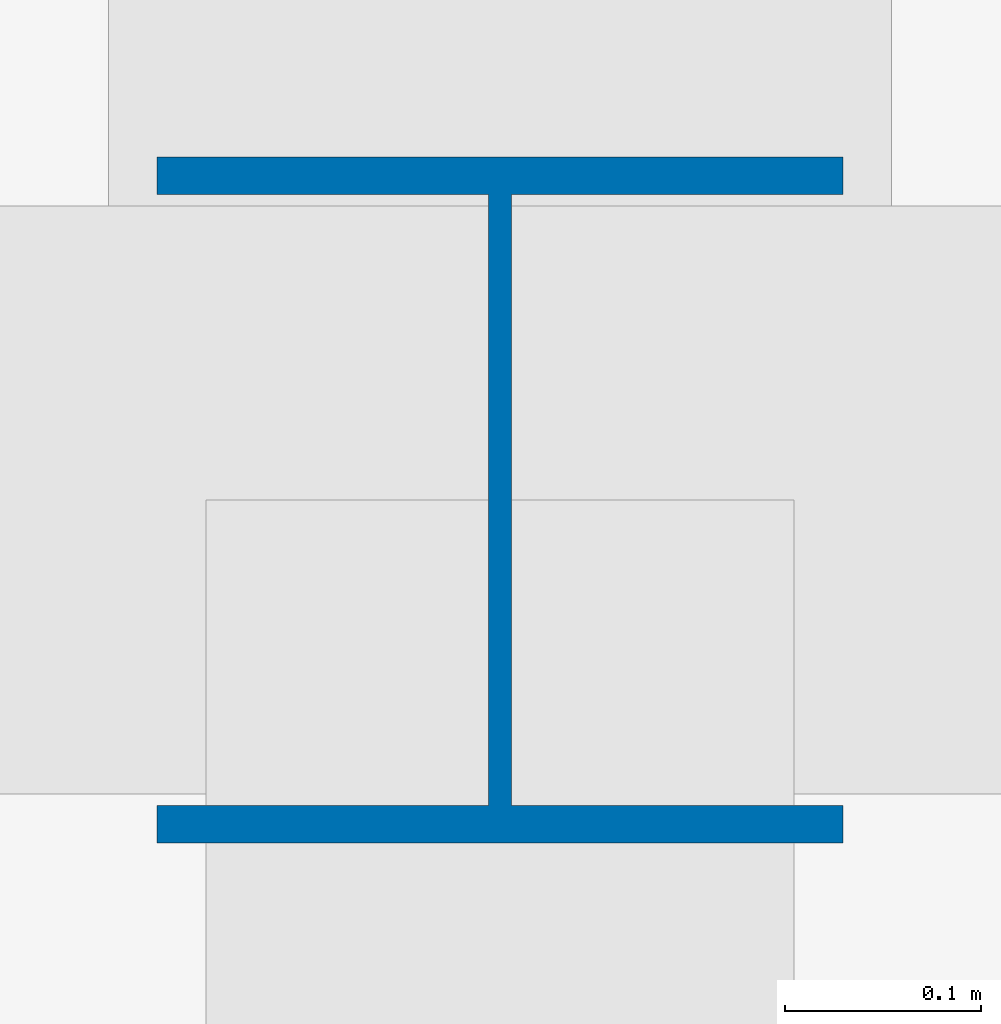
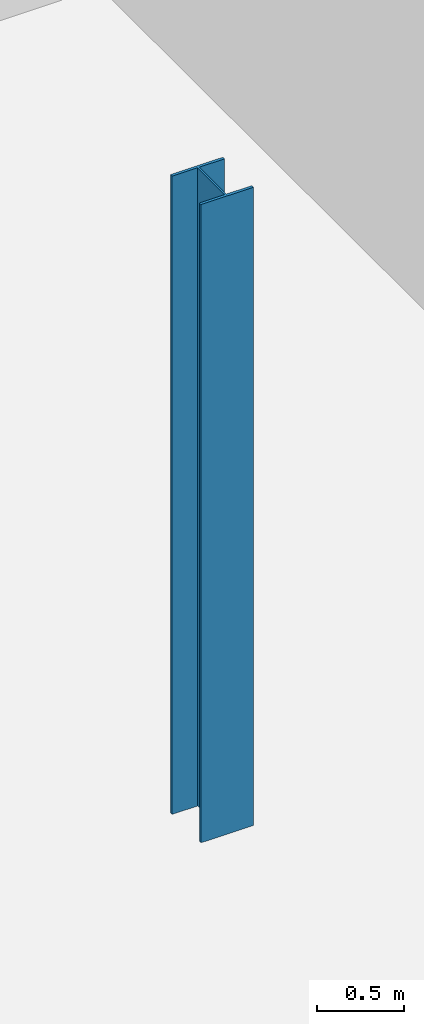
# One storey, part 2 of 27: 1 column.
"""IFC4 building model written with IfcOpenShell, lengths in metres."""

from ifc_helpers import new_model, si_unit, direction, frame, origin, origin_2d, place, context, subcontext, project, spatial, i_section, extrude, source, transform, mapped, material, material_profile, profile_set, type_object, type_shapes, element, save


model = new_model("IFC4")

# Units and contexts
model_context = context("Model", 3, precision=1e-05, world=origin(), true_north=direction((0.0, 1.0)))
body_context = subcontext(model_context, "Body", "Model", "MODEL_VIEW")
ifc_project = project(units=[si_unit("LENGTHUNIT", "METRE"), si_unit("AREAUNIT", "SQUARE_METRE"), si_unit("VOLUMEUNIT", "CUBIC_METRE"), si_unit("PLANEANGLEUNIT", "RADIAN"), si_unit("MASSUNIT", "GRAM", prefix="KILO")], contexts=[model_context])

# Site, building, storey
site_placement = place(None, origin())
site = spatial("IfcSite", under=ifc_project, at=site_placement, CompositionType="ELEMENT")
building_placement = place(site_placement, origin())
building = spatial("IfcBuilding", under=site, at=building_placement, Name="Seokmaru Belvedere", CompositionType="ELEMENT")
storey_placement = place(building_placement, frame((0.0, 0.0, 9.89990234375)))
storey = spatial("IfcBuildingStorey", under=building, at=storey_placement, Name="L02", CompositionType="ELEMENT", Elevation=9.89990234375)

# Column
ifc_material = material(Name="Steel SM355 (355 MPa)", Category="steel")
ifc_material_profile = material_profile(ifc_material, i_section(OverallWidth=0.35009765625, OverallDepth=0.35009765625, WebThickness=0.011962890625, FlangeThickness=0.01904296875, at=origin_2d()), Name="H-350x350x12x19")
ifc_profile_set = profile_set([ifc_material_profile], Name="Steel SM355 (355 MPa)")
column_type = type_object("IfcColumnType", Name="Podium Gallery Column H-350", PredefinedType="COLUMN", material=ifc_profile_set)
shared_shape = source(origin(), body_context, "Body", "SweptSolid", [
    extrude(i_section(OverallWidth=0.35009765625, OverallDepth=0.35009765625, WebThickness=0.011962890625, FlangeThickness=0.01904296875, at=origin_2d()), origin(), (0.0, 0.0, 1.0), 4.5),
])
type_shapes(column_type, [shared_shape])
column_placement = place(storey_placement, frame((-16.5, -9.0, 0.0), z_axis=(0.0, 0.0, 1.0), x_axis=(1.0, 0.0, 0.0)))
element("IfcColumn", 1, at=column_placement, inside=storey, type_object=column_type, Name="L02 Column CP1_3", PredefinedType="COLUMN", context=body_context, shape_type="MappedRepresentation", body=[
    mapped(shared_shape, transform((0.0, 0.0, 0.0), scale=1.0)),
])

save(model, "model.ifc")
